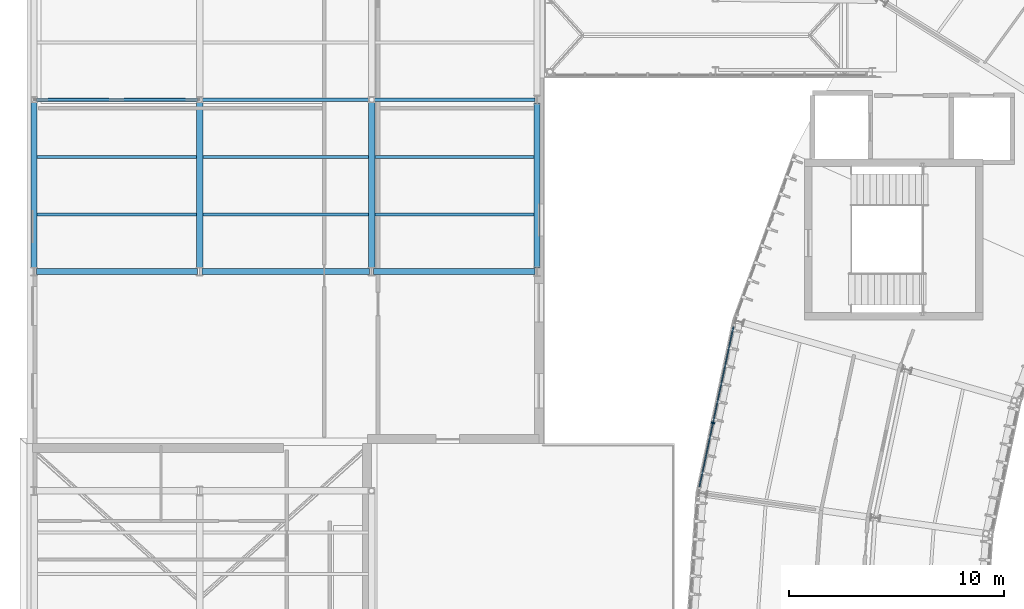
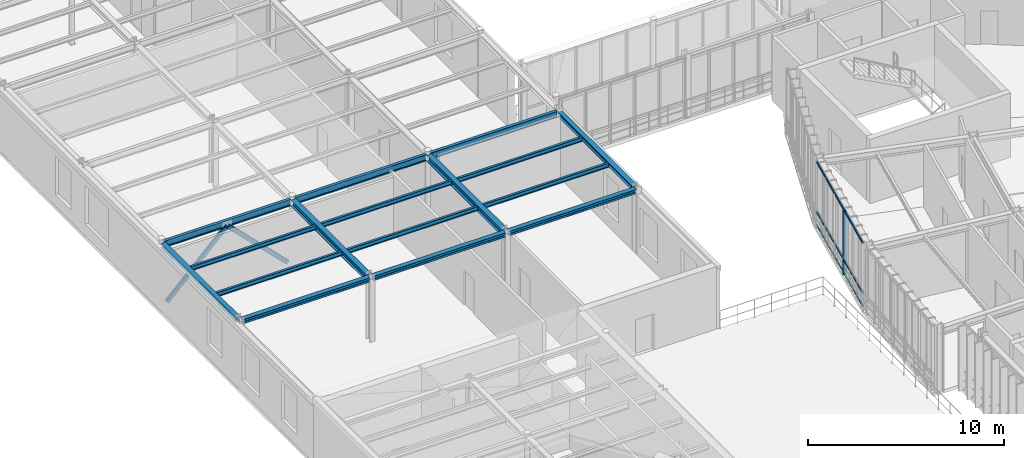
# One storey, part 13 of 52: 16 beams, 6 members, 1 element without a shape of its own.
"""IFC4 building model written with IfcOpenShell, lengths in metres."""

from ifc_helpers import new_model, si_unit, direction, frame, origin, origin_2d, place, context, subcontext, project, spatial, rectangle, hollow_rectangle, i_section, extrude, material, layer, layer_set, material_profile, profile_set, type_object, element, aggregate, save


model = new_model("IFC4")

# Units and contexts
model_context = context("Model", 3, precision=1e-05, world=origin(), true_north=direction((0.0, 1.0)))
body_context = subcontext(model_context, "Body", "Model", "MODEL_VIEW")
ifc_project = project(units=[si_unit("LENGTHUNIT", "METRE"), si_unit("AREAUNIT", "SQUARE_METRE"), si_unit("VOLUMEUNIT", "CUBIC_METRE"), si_unit("PLANEANGLEUNIT", "RADIAN"), si_unit("MASSUNIT", "GRAM", prefix="KILO"), si_unit("THERMODYNAMICTEMPERATUREUNIT", "KELVIN"), si_unit("POWERUNIT", "WATT")], contexts=[model_context])

# Site, building, storey
site_placement = place(None, origin())
site = spatial("IfcSite", under=ifc_project, at=site_placement, CompositionType="ELEMENT")
building_placement = place(site_placement, origin())
building = spatial("IfcBuilding", under=site, at=building_placement, Name="Solvatero Civic Police Headquarters", CompositionType="ELEMENT")
storey_placement = place(building_placement, frame((0.0, 0.0, 13.5)))
storey = spatial("IfcBuildingStorey", under=building, at=storey_placement, Name="L03", CompositionType="ELEMENT", Elevation=13.5)

# Beams
ifc_material_1 = material(Name="Steel S355", Category="steel")
ifc_material_profile_1 = material_profile(ifc_material_1, i_section(OverallWidth=0.280029296875, OverallDepth=0.27001953125, WebThickness=0.008056640625, FlangeThickness=0.012939453125, FilletRadius=0.02392578125, at=origin_2d()), Name="HEA 280")
ifc_profile_set_1 = profile_set([ifc_material_profile_1], Name="Steel S355")
beam_type_1 = type_object("IfcBeamType", Name="BM-ST-HEA280", PredefinedType="SPANDREL", material=ifc_profile_set_1)
beam_1_placement = place(storey_placement, frame((4.89990234375, 44.5, 3.864990234375), z_axis=(1.0, 0.0, 0.0), x_axis=(0.0, 1.0, 0.0)))
element("IfcBeam", 1, at=beam_1_placement, inside=storey, type_object=beam_type_1, Name="Perimeter / radial spandrel beam BM-R2-L03-V6-GX-1-1", PredefinedType="SPANDREL", context=body_context, shape_type="SweptSolid", body=[
    extrude(i_section(OverallWidth=0.280029296875, OverallDepth=0.27001953125, WebThickness=0.008056640625, FlangeThickness=0.012939453125, FilletRadius=0.02392578125, at=origin_2d()), origin(), (0.0, 0.0, 1.0), 7.5),
])
beam_2_placement = place(storey_placement, frame((12.60009765625, 44.5, 3.864990234375), z_axis=(1.0, 0.0, 0.0), x_axis=(0.0, 1.0, 0.0)))
element("IfcBeam", 2, at=beam_2_placement, inside=storey, type_object=beam_type_1, Name="Perimeter / radial spandrel beam BM-R2-L03-V6-GX-2-1", PredefinedType="SPANDREL", context=body_context, shape_type="SweptSolid", body=[
    extrude(i_section(OverallWidth=0.280029296875, OverallDepth=0.27001953125, WebThickness=0.008056640625, FlangeThickness=0.012939453125, FilletRadius=0.02392578125, at=origin_2d()), origin(), (0.0, 0.0, 1.0), 7.7998046875),
])
beam_3_placement = place(storey_placement, frame((20.60009765625, 44.5, 3.864990234375), z_axis=(1.0, 0.0, 0.0), x_axis=(0.0, 1.0, 0.0)))
element("IfcBeam", 3, at=beam_3_placement, inside=storey, type_object=beam_type_1, Name="Perimeter / radial spandrel beam BM-R2-L03-V6-GX-3-1", PredefinedType="SPANDREL", context=body_context, shape_type="SweptSolid", body=[
    extrude(i_section(OverallWidth=0.280029296875, OverallDepth=0.27001953125, WebThickness=0.008056640625, FlangeThickness=0.012939453125, FilletRadius=0.02392578125, at=origin_2d()), origin(), (0.0, 0.0, 1.0), 7.5),
])
beam_4_placement = place(storey_placement, frame((4.800048828125, 44.659912109375, 3.864990234375), z_axis=(0.0, 1.0, 0.0), x_axis=(-1.0, 0.0, 0.0)))
element("IfcBeam", 4, at=beam_4_placement, inside=storey, type_object=beam_type_1, Name="Perimeter / radial spandrel beam BM-R2-L03-V6-GY-1-1", PredefinedType="SPANDREL", context=body_context, shape_type="SweptSolid", body=[
    extrude(i_section(OverallWidth=0.280029296875, OverallDepth=0.27001953125, WebThickness=0.008056640625, FlangeThickness=0.012939453125, FilletRadius=0.02392578125, at=origin_2d()), origin(), (0.0, 0.0, 1.0), 7.70166015625),
])
beam_5_placement = place(storey_placement, frame((28.199951171875, 44.659912109375, 3.864990234375), z_axis=(0.0, 1.0, 0.0), x_axis=(-1.0, 0.0, 0.0)))
element("IfcBeam", 5, at=beam_5_placement, inside=storey, type_object=beam_type_1, Name="Perimeter / radial spandrel beam BM-R2-L03-V6-GY-4-1", PredefinedType="SPANDREL", context=body_context, shape_type="SweptSolid", body=[
    extrude(i_section(OverallWidth=0.280029296875, OverallDepth=0.27001953125, WebThickness=0.008056640625, FlangeThickness=0.012939453125, FilletRadius=0.02392578125, at=origin_2d()), origin(), (0.0, 0.0, 1.0), 7.68017578125),
])
ifc_material_profile_2 = material_profile(ifc_material_1, i_section(OverallWidth=0.300048828125, OverallDepth=0.389892578125, WebThickness=0.010986328125, FlangeThickness=0.01904296875, FilletRadius=0.027099609375, at=origin_2d()), Name="HEA 400")
ifc_profile_set_2 = profile_set([ifc_material_profile_2], Name="Steel S355")
beam_type_2 = type_object("IfcBeamType", Name="BM-ST-HEA400", PredefinedType="BEAM", material=ifc_profile_set_2)
for number, where, z_axis, x_axis, name in (
    (6, (12.5, 44.659912109375, 3.804931640625), (0.0, 1.0, 0.0), (-1.0, 0.0, 0.0), "Primary girder BM-R2-L03-V6-GY-2-1"),
    (7, (20.5, 44.659912109375, 3.804931640625), (0.0, 1.0, 0.0), (-1.0, 0.0, 0.0), "Primary girder BM-R2-L03-V6-GY-3-1"),
):
    element("IfcBeam", number, at=place(storey_placement, frame(where, z_axis=z_axis, x_axis=x_axis)), inside=storey, type_object=beam_type_2, Name=name, PredefinedType="BEAM", context=body_context, shape_type="SweptSolid", body=[
        extrude(i_section(OverallWidth=0.300048828125, OverallDepth=0.389892578125, WebThickness=0.010986328125, FlangeThickness=0.01904296875, FilletRadius=0.027099609375, at=origin_2d()), origin(), (0.0, 0.0, 1.0), 7.70166015625),
    ])
ifc_material_profile_3 = material_profile(ifc_material_1, i_section(OverallWidth=0.135009765625, OverallDepth=0.27001953125, WebThickness=0.006591796875, FlangeThickness=0.01025390625, FilletRadius=0.014892578125, at=origin_2d()), Name="IPE 270")
ifc_profile_set_3 = profile_set([ifc_material_profile_3], Name="Steel S355")
beam_type_3 = type_object("IfcBeamType", Name="BM-ST-IPE270", PredefinedType="BEAM", material=ifc_profile_set_3)
for number, where, z_axis, x_axis, name in (
    (8, (4.93994140625, 47.166748046875, 3.864990234375), (1.0, 0.0, 0.0), (0.0, 1.0, 0.0), "Composite floor beam BM-R2-L03-V6-SEC-1-1-S1"),
    (9, (4.93994140625, 49.833251953125, 3.864990234375), (1.0, 0.0, 0.0), (0.0, 1.0, 0.0), "Composite floor beam BM-R2-L03-V6-SEC-1-1-S2"),
):
    element("IfcBeam", number, at=place(storey_placement, frame(where, z_axis=z_axis, x_axis=x_axis)), inside=storey, type_object=beam_type_3, Name=name, PredefinedType="BEAM", context=body_context, shape_type="SweptSolid", body=[
        extrude(i_section(OverallWidth=0.135009765625, OverallDepth=0.27001953125, WebThickness=0.006591796875, FlangeThickness=0.01025390625, FilletRadius=0.014892578125, at=origin_2d()), origin(), (0.0, 0.0, 1.0), 7.41015625),
    ])
for number, where, z_axis, x_axis, name in (
    (10, (12.64990234375, 47.166748046875, 3.864990234375), (1.0, 0.0, 0.0), (0.0, 1.0, 0.0), "Composite floor beam BM-R2-L03-V6-SEC-2-1-S1"),
    (11, (12.64990234375, 49.833251953125, 3.864990234375), (1.0, 0.0, 0.0), (0.0, 1.0, 0.0), "Composite floor beam BM-R2-L03-V6-SEC-2-1-S2"),
):
    element("IfcBeam", number, at=place(storey_placement, frame(where, z_axis=z_axis, x_axis=x_axis)), inside=storey, type_object=beam_type_3, Name=name, PredefinedType="BEAM", context=body_context, shape_type="SweptSolid", body=[
        extrude(i_section(OverallWidth=0.135009765625, OverallDepth=0.27001953125, WebThickness=0.006591796875, FlangeThickness=0.01025390625, FilletRadius=0.014892578125, at=origin_2d()), origin(), (0.0, 0.0, 1.0), 7.7001953125),
    ])
for number, where, z_axis, x_axis, name in (
    (12, (20.64990234375, 47.166748046875, 3.864990234375), (1.0, 0.0, 0.0), (0.0, 1.0, 0.0), "Composite floor beam BM-R2-L03-V6-SEC-3-1-S1"),
    (13, (20.64990234375, 49.833251953125, 3.864990234375), (1.0, 0.0, 0.0), (0.0, 1.0, 0.0), "Composite floor beam BM-R2-L03-V6-SEC-3-1-S2"),
):
    element("IfcBeam", number, at=place(storey_placement, frame(where, z_axis=z_axis, x_axis=x_axis)), inside=storey, type_object=beam_type_3, Name=name, PredefinedType="BEAM", context=body_context, shape_type="SweptSolid", body=[
        extrude(i_section(OverallWidth=0.135009765625, OverallDepth=0.27001953125, WebThickness=0.006591796875, FlangeThickness=0.01025390625, FilletRadius=0.014892578125, at=origin_2d()), origin(), (0.0, 0.0, 1.0), 7.41015625),
    ])
ifc_material_profile_4 = material_profile(ifc_material_1, i_section(OverallWidth=0.179931640625, OverallDepth=0.39990234375, WebThickness=0.008544921875, FlangeThickness=0.013427734375, FilletRadius=0.02099609375, at=origin_2d()), Name="IPE 400")
ifc_profile_set_4 = profile_set([ifc_material_profile_4], Name="Steel S355")
beam_type_4 = type_object("IfcBeamType", Name="BM-ST-IPE400", PredefinedType="BEAM", material=ifc_profile_set_4)
beam_6_placement = place(storey_placement, frame((4.89990234375, 52.5, 3.800048828125), z_axis=(1.0, 0.0, 0.0), x_axis=(0.0, 1.0, 0.0)))
element("IfcBeam", 14, at=beam_6_placement, inside=storey, type_object=beam_type_4, Name="Primary girder BM-R2-L03-V6-GX-1-2", PredefinedType="BEAM", context=body_context, shape_type="SweptSolid", body=[
    extrude(i_section(OverallWidth=0.179931640625, OverallDepth=0.39990234375, WebThickness=0.008544921875, FlangeThickness=0.013427734375, FilletRadius=0.02099609375, at=origin_2d()), origin(), (0.0, 0.0, 1.0), 7.5),
])
beam_7_placement = place(storey_placement, frame((12.60009765625, 52.5, 3.800048828125), z_axis=(1.0, 0.0, 0.0), x_axis=(0.0, 1.0, 0.0)))
element("IfcBeam", 15, at=beam_7_placement, inside=storey, type_object=beam_type_4, Name="Primary girder BM-R2-L03-V6-GX-2-2", PredefinedType="BEAM", context=body_context, shape_type="SweptSolid", body=[
    extrude(i_section(OverallWidth=0.179931640625, OverallDepth=0.39990234375, WebThickness=0.008544921875, FlangeThickness=0.013427734375, FilletRadius=0.02099609375, at=origin_2d()), origin(), (0.0, 0.0, 1.0), 7.7998046875),
])
beam_8_placement = place(storey_placement, frame((20.60009765625, 52.5, 3.800048828125), z_axis=(1.0, 0.0, 0.0), x_axis=(0.0, 1.0, 0.0)))
element("IfcBeam", 16, at=beam_8_placement, inside=storey, type_object=beam_type_4, Name="Primary girder BM-R2-L03-V6-GX-3-2", PredefinedType="BEAM", context=body_context, shape_type="SweptSolid", body=[
    extrude(i_section(OverallWidth=0.179931640625, OverallDepth=0.39990234375, WebThickness=0.008544921875, FlangeThickness=0.013427734375, FilletRadius=0.02099609375, at=origin_2d()), origin(), (0.0, 0.0, 1.0), 7.5),
])

# Curtain wall, members
ifc_material_2 = material(Name="Anodized Bronze Aluminium", Category="aluminium")
ifc_layer = layer(ifc_material_2, 0.179931640625)
ifc_layer_set = layer_set([ifc_layer], Name="Anodized Bronze Aluminium")
curtain_wall_type = type_object("IfcCurtainWallType", Name="CW-ARC-OUT", PredefinedType="USERDEFINED", material=ifc_layer_set)
curtain_wall_placement = place(storey_placement, origin())
curtain_wall = element("IfcCurtainWall", 17, at=curtain_wall_placement, inside=storey, type_object=curtain_wall_type, Name="Curtain Wall CW-R2-L03-ARC-OUT-B11", ObjectType="UNITISED", PredefinedType="USERDEFINED")
ifc_material_profile_5 = material_profile(ifc_material_2, rectangle(XDim=0.06494140625, YDim=0.179931640625, at=origin_2d()), Name="ALU MULLION 65x180")
ifc_profile_set_5 = profile_set([ifc_material_profile_5], Name="Anodized Bronze Aluminium")
member_type_1 = type_object("IfcMemberType", Name="CWM-200x75", PredefinedType="MULLION", material=ifc_profile_set_5)
member_1_placement = place(storey_placement, frame((36.38671875, 37.45849609375, 0.0), z_axis=(0.0, 0.0, 1.0), x_axis=(-0.207928762682, -0.978143971841, 0.0)))
member_1 = element("IfcMember", 18, at=member_1_placement, type_object=member_type_1, Name="CW-R2-L03-ARC-OUT-B11 Mullion 4", PredefinedType="MULLION", context=body_context, shape_type="SweptSolid", body=[
    extrude(rectangle(XDim=0.06494140625, YDim=0.179931640625, at=origin_2d()), origin(), (0.0, 0.0, 1.0), 4.0),
])
ifc_material_profile_6 = material_profile(ifc_material_2, rectangle(XDim=0.06005859375, YDim=0.125, at=origin_2d()), Name="ALU TRANSOM 60x125")
ifc_profile_set_6 = profile_set([ifc_material_profile_6], Name="Anodized Bronze Aluminium")
member_type_2 = type_object("IfcMemberType", Name="CWT-160x65", PredefinedType="USERDEFINED", material=ifc_profile_set_6)
member_2_placement = place(storey_placement, frame((37.33740234375, 41.93017578125, 0.0400390625), z_axis=(-0.207934417862, -0.978142769676, 0.0), x_axis=(0.978142769676, -0.207934417862, 0.0)))
member_2 = element("IfcMember", 19, at=member_2_placement, type_object=member_type_2, Name="CW-R2-L03-ARC-OUT-B11 Transom 1", ObjectType="TRANSOM", PredefinedType="USERDEFINED", context=body_context, shape_type="SweptSolid", body=[
    extrude(rectangle(XDim=0.06005859375, YDim=0.125, at=origin_2d()), origin(), (0.0, 0.0, 1.0), 7.6025390625),
])
member_3_placement = place(storey_placement, frame((37.33740234375, 41.93017578125, 0.85009765625), z_axis=(-0.207934417862, -0.978142769676, 0.0), x_axis=(0.978142769676, -0.207934417862, 0.0)))
member_3 = element("IfcMember", 20, at=member_3_placement, type_object=member_type_2, Name="CW-R2-L03-ARC-OUT-B11 Transom 2", ObjectType="TRANSOM", PredefinedType="USERDEFINED", context=body_context, shape_type="SweptSolid", body=[
    extrude(rectangle(XDim=0.06005859375, YDim=0.125, at=origin_2d()), origin(), (0.0, 0.0, 1.0), 7.6025390625),
])
member_4_placement = place(storey_placement, frame((37.33740234375, 41.93017578125, 3.9599609375), z_axis=(-0.207934417862, -0.978142769676, 0.0), x_axis=(0.978142769676, -0.207934417862, 0.0)))
member_4 = element("IfcMember", 21, at=member_4_placement, type_object=member_type_2, Name="CW-R2-L03-ARC-OUT-B11 Transom 3", ObjectType="TRANSOM", PredefinedType="USERDEFINED", context=body_context, shape_type="SweptSolid", body=[
    extrude(rectangle(XDim=0.06005859375, YDim=0.125, at=origin_2d()), origin(), (0.0, 0.0, 1.0), 7.6025390625),
])
aggregate(curtain_wall, [member_1, member_2, member_3, member_4])

# Members
ifc_material_profile_7 = material_profile(ifc_material_1, hollow_rectangle(XDim=0.14990234375, YDim=0.25, WallThickness=0.010009765625, InnerFilletRadius=0.010009765625, OuterFilletRadius=0.02001953125, at=origin_2d()), Name="RHS 250x150x10.0")
ifc_profile_set_7 = profile_set([ifc_material_profile_7], Name="Steel S355")
member_type_3 = type_object("IfcMemberType", Name="MB-BR-RHS250", PredefinedType="BRACE", material=ifc_profile_set_7)
for number, where, z_axis, x_axis, name in (
    (22, (5.10009765625, 52.5, 0.1201171875), (0.709103489354, 0.0, 0.705104418782), (0.0, 1.0, 0.0), "Chevron Brace BR-V6-INT1 Left L03"),
    (23, (12.199951171875, 52.5, 0.1201171875), (-0.709127734766, 0.0, 0.705080035021), (0.0, -1.0, 0.0), "Chevron Brace BR-V6-INT1 Right L03"),
):
    element("IfcMember", number, at=place(storey_placement, frame(where, z_axis=z_axis, x_axis=x_axis)), inside=storey, type_object=member_type_3, Name=name, PredefinedType="BRACE", context=body_context, shape_type="SweptSolid", body=[
        extrude(hollow_rectangle(XDim=0.14990234375, YDim=0.25, WallThickness=0.010009765625, InnerFilletRadius=0.010009765625, OuterFilletRadius=0.02001953125, at=origin_2d()), origin(), (0.0, 0.0, 1.0), 5.006103515625),
    ])

save(model, "model.ifc")
